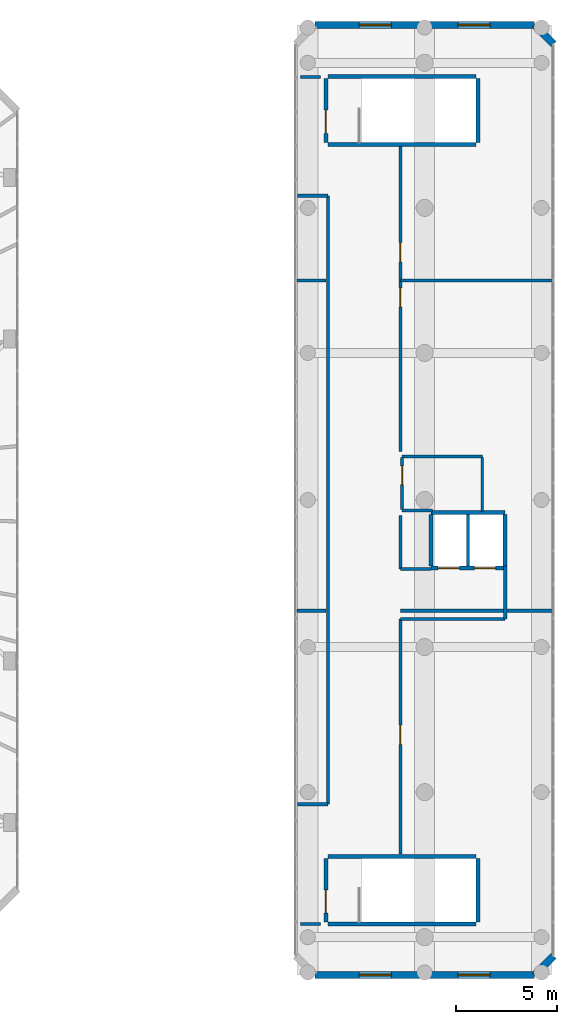
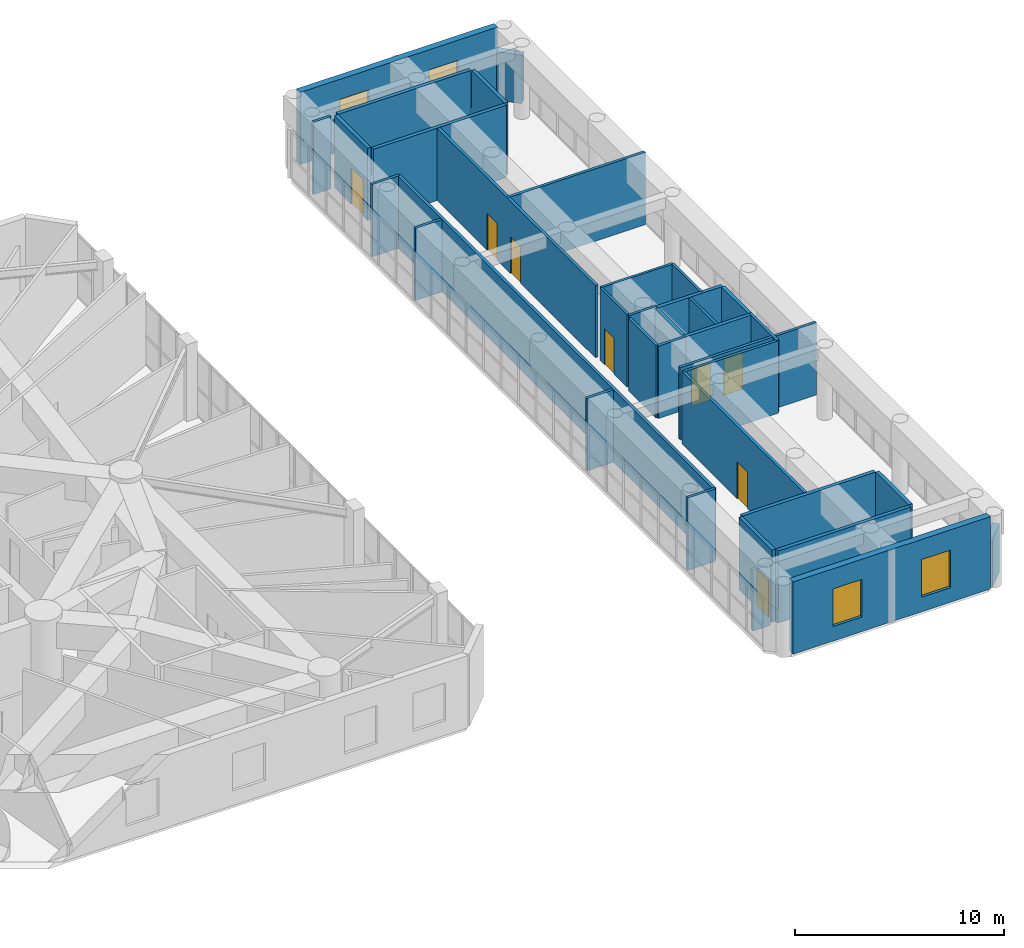
# One storey, part 18 of 22: 36 walls, 8 doors, 4 windows, 12 openings.
"""IFC4 building model written with IfcOpenShell, lengths in metres."""

from ifc_helpers import new_model, si_unit, direction, frame, frame_2d, origin, origin_with_axes, place, context, subcontext, project, spatial, rectangle, extrude, source, transform, mapped, material, layer, layer_set, type_object, element, fill, save


model = new_model("IFC4")

# Units and contexts
model_context = context("Model", 3, precision=1e-05, world=origin(), true_north=direction((0.0, 1.0)))
body_context = subcontext(model_context, "Body", "Model", "MODEL_VIEW")
ifc_project = project(units=[si_unit("LENGTHUNIT", "METRE"), si_unit("AREAUNIT", "SQUARE_METRE"), si_unit("VOLUMEUNIT", "CUBIC_METRE"), si_unit("PLANEANGLEUNIT", "RADIAN"), si_unit("MASSUNIT", "GRAM", prefix="KILO")], contexts=[model_context])

# Site, building, storey
site_placement = place(None, origin())
site = spatial("IfcSite", under=ifc_project, at=site_placement, CompositionType="ELEMENT")
building_placement = place(site_placement, origin())
building = spatial("IfcBuilding", under=site, at=building_placement, Name="Karkom Vertical University and Central Library", CompositionType="ELEMENT")
storey_placement = place(building_placement, frame((0.0, 0.0, 18.0)))
storey = spatial("IfcBuildingStorey", under=building, at=storey_placement, Name="L04", CompositionType="ELEMENT", Elevation=18.0)

# Wall, openings, windows
ifc_material_1 = material(Name="Brick masonry 360mm insulated cavity", Category="masonry")
ifc_layer_1 = layer(ifc_material_1, 0.360107421875)
ifc_layer_set_1 = layer_set([ifc_layer_1], Name="Brick masonry 360mm insulated cavity")
wall_type_1 = type_object("IfcWallType", Name="ENV-WL-BRK-360", PredefinedType="SOLIDWALL", material=ifc_layer_set_1)
wall_1_placement = place(storey_placement, frame((69.949951171875, 2.919921875, 0.0), z_axis=(0.0, 0.0, 1.0), x_axis=(1.0, 0.0, 0.0)))
wall_1 = element("IfcWall", 1, at=wall_1_placement, inside=storey, type_object=wall_type_1, Name="Level 04 LIB Terracotta Brick Facade Wall 01", PredefinedType="SOLIDWALL", context=body_context, shape_type="SweptSolid", body=[
    extrude(rectangle(XDim=10.900146484375, YDim=0.360107421875, at=frame_2d((5.4501953125, 0.0))), origin(), (0.0, 0.0, 1.0), 4.22509765625),
])
opening_1_placement = place(wall_1_placement, frame((2.199951171875, 0.0, 0.85009765625)))
opening_1 = element("IfcOpeningElement", 2, at=opening_1_placement, cuts=wall_1, Name="Opening WN-02", PredefinedType="OPENING", context=body_context, shape_type="SweptSolid", body=[
    extrude(rectangle(XDim=1.60009765625, YDim=2.199951171875, at=frame_2d((0.800048828125, 1.10009765625))), frame((0.0, 0.18994140625, 0.0), z_axis=(0.0, -1.0, 0.0), x_axis=(1.0, 0.0, 0.0)), (0.0, 0.0, 1.0), 0.380126953125),
])
opening_2_placement = place(wall_1_placement, frame((7.10009765625, 0.0, 0.85009765625)))
opening_2 = element("IfcOpeningElement", 3, at=opening_2_placement, cuts=wall_1, Name="Opening WN-02", PredefinedType="OPENING", context=body_context, shape_type="SweptSolid", body=[
    extrude(rectangle(XDim=1.60009765625, YDim=2.199951171875, at=frame_2d((0.800048828125, 1.10009765625))), frame((0.0, 0.18994140625, 0.0), z_axis=(0.0, -1.0, 0.0), x_axis=(1.0, 0.0, 0.0)), (0.0, 0.0, 1.0), 0.380126953125),
])
ifc_material_2 = material(Name="Aluminium thermal-break frame with solar-control IGU", Category="aluminium")
window_type = type_object("IfcWindowType", Name="ENV-WIN-WN-02", PartitioningType="SINGLE_PANEL", PredefinedType="WINDOW", material=ifc_material_2)
shared_shape_1 = source(origin_with_axes(), body_context, "Body", "SweptSolid", [
    extrude(rectangle(XDim=1.60009765625, YDim=2.199951171875, at=frame_2d((0.800048828125, 1.10009765625))), frame((0.0, 0.030029296875, 0.0), z_axis=(0.0, -1.0, 0.0), x_axis=(1.0, 0.0, 0.0)), (0.0, 0.0, 1.0), 0.06005859375),
])
window_1_placement = place(opening_1_placement, origin())
window_1 = element("IfcWindow", 4, at=window_1_placement, inside=storey, type_object=window_type, Name="Level 04 LIB Punched Window 01", OverallHeight=2.199951171875, OverallWidth=1.60009765625, PartitioningType="SINGLE_PANEL", PredefinedType="WINDOW", context=body_context, shape_type="MappedRepresentation", body=[
    mapped(shared_shape_1, transform((0.0, 0.0, 0.0), scale=1.0)),
])
fill(opening_1, window_1)
window_2_placement = place(opening_2_placement, origin())
window_2 = element("IfcWindow", 5, at=window_2_placement, inside=storey, type_object=window_type, Name="Level 04 LIB Punched Window 02", OverallHeight=2.199951171875, OverallWidth=1.60009765625, PartitioningType="SINGLE_PANEL", PredefinedType="WINDOW", context=body_context, shape_type="MappedRepresentation", body=[
    mapped(shared_shape_1, transform((0.0, 0.0, 0.0), scale=1.0)),
])
fill(opening_2, window_2)

# Walls
for number, where, z_axis, x_axis, name in (
    (6, (80.85009765625, 2.919921875, 0.0), (0.0, 0.0, 1.0), (0.707015922623, 0.707197628077, 0.0), "Level 04 LIB Terracotta Brick Facade Wall 02"),
    (7, (81.800048828125, 49.1298828125, 0.0), (0.0, 0.0, 1.0), (-0.707015922623, 0.707197628077, 0.0), "Level 04 LIB Terracotta Brick Facade Wall 04"),
):
    element("IfcWall", number, at=place(storey_placement, frame(where, z_axis=z_axis, x_axis=x_axis)), inside=storey, type_object=wall_type_1, Name=name, PredefinedType="SOLIDWALL", context=body_context, shape_type="SweptSolid", body=[
        extrude(rectangle(XDim=1.343505859375, YDim=0.360107421875, at=frame_2d((0.671875, 0.0))), origin(), (0.0, 0.0, 1.0), 2.824951171875),
    ])

# Wall, openings, windows
wall_2_placement = place(storey_placement, frame((80.85009765625, 50.080078125, 0.0), z_axis=(0.0, 0.0, 1.0), x_axis=(-1.0, 0.0, 0.0)))
wall_2 = element("IfcWall", 8, at=wall_2_placement, inside=storey, type_object=wall_type_1, Name="Level 04 LIB Terracotta Brick Facade Wall 05", PredefinedType="SOLIDWALL", context=body_context, shape_type="SweptSolid", body=[
    extrude(rectangle(XDim=10.900146484375, YDim=0.360107421875, at=frame_2d((5.4501953125, 0.0))), origin(), (0.0, 0.0, 1.0), 4.22509765625),
])
opening_3_placement = place(wall_2_placement, frame((2.199951171875, 0.0, 0.85009765625)))
opening_3 = element("IfcOpeningElement", 9, at=opening_3_placement, cuts=wall_2, Name="Opening WN-02", PredefinedType="OPENING", context=body_context, shape_type="SweptSolid", body=[
    extrude(rectangle(XDim=1.60009765625, YDim=2.199951171875, at=frame_2d((0.800048828125, 1.10009765625))), frame((0.0, 0.18994140625, 0.0), z_axis=(0.0, -1.0, 0.0), x_axis=(1.0, 0.0, 0.0)), (0.0, 0.0, 1.0), 0.380126953125),
])
opening_4_placement = place(wall_2_placement, frame((7.10009765625, 0.0, 0.85009765625)))
opening_4 = element("IfcOpeningElement", 10, at=opening_4_placement, cuts=wall_2, Name="Opening WN-02", PredefinedType="OPENING", context=body_context, shape_type="SweptSolid", body=[
    extrude(rectangle(XDim=1.60009765625, YDim=2.199951171875, at=frame_2d((0.800048828125, 1.10009765625))), frame((0.0, 0.18994140625, 0.0), z_axis=(0.0, -1.0, 0.0), x_axis=(1.0, 0.0, 0.0)), (0.0, 0.0, 1.0), 0.380126953125),
])
window_3_placement = place(opening_3_placement, origin())
window_3 = element("IfcWindow", 11, at=window_3_placement, inside=storey, type_object=window_type, Name="Level 04 LIB Punched Window 01", OverallHeight=2.199951171875, OverallWidth=1.60009765625, PartitioningType="SINGLE_PANEL", PredefinedType="WINDOW", context=body_context, shape_type="MappedRepresentation", body=[
    mapped(shared_shape_1, transform((0.0, 0.0, 0.0), scale=1.0)),
])
fill(opening_3, window_3)
window_4_placement = place(opening_4_placement, origin())
window_4 = element("IfcWindow", 12, at=window_4_placement, inside=storey, type_object=window_type, Name="Level 04 LIB Punched Window 02", OverallHeight=2.199951171875, OverallWidth=1.60009765625, PartitioningType="SINGLE_PANEL", PredefinedType="WINDOW", context=body_context, shape_type="MappedRepresentation", body=[
    mapped(shared_shape_1, transform((0.0, 0.0, 0.0), scale=1.0)),
])
fill(opening_4, window_4)

# Wall
ifc_material_3 = material(Name="Insulated metal-stud drywall 160mm", Category="gypsum")
ifc_layer_2 = layer(ifc_material_3, 0.159912109375)
ifc_layer_set_2 = layer_set([ifc_layer_2], Name="Insulated metal-stud drywall 160mm")
wall_type_2 = type_object("IfcWallType", Name="INT-WL-COR-160", PredefinedType="PARTITIONING", material=ifc_layer_set_2)
wall_3_placement = place(storey_placement, frame((70.60009765625, 11.39990234375, 0.0), z_axis=(0.0, 0.0, 1.0), x_axis=(0.0, 1.0, 0.0)))
element("IfcWall", 13, at=wall_3_placement, inside=storey, type_object=wall_type_2, Name="Level 04 Interior Partition Wall Level 04-LBCW-CW-011", PredefinedType="PARTITIONING", context=body_context, shape_type="SweptSolid", body=[
    extrude(rectangle(XDim=30.2001953125, YDim=0.159912109375, at=frame_2d((15.10009765625, 0.0))), origin(), (0.0, 0.0, 1.0), 4.22509765625),
])

# Wall, openings, doors
wall_4_placement = place(storey_placement, frame((74.199951171875, 44.0380859375, 0.0), z_axis=(0.0, 0.0, 1.0), x_axis=(0.0, -1.0, 0.0)))
wall_4 = element("IfcWall", 14, at=wall_4_placement, inside=storey, type_object=wall_type_2, Name="Level 04 Interior Partition Wall Level 04-LBCW-CW-003", PredefinedType="PARTITIONING", context=body_context, shape_type="SweptSolid", body=[
    extrude(rectangle(XDim=15.13818359375, YDim=0.159912109375, at=frame_2d((7.569091796875, 0.0))), origin(), (0.0, 0.0, 1.0), 4.22509765625),
])
opening_5_placement = place(wall_4_placement, frame((7.010009765625, 0.0, 0.0)))
opening_5 = element("IfcOpeningElement", 15, at=opening_5_placement, cuts=wall_4, Name="Opening FD-RM2", PredefinedType="OPENING", context=body_context, shape_type="SweptSolid", body=[
    extrude(rectangle(XDim=0.9599609375, YDim=2.14990234375, at=frame_2d((0.47998046875, 1.074951171875))), frame((0.0, 0.08984375, 0.0), z_axis=(0.0, -1.0, 0.0), x_axis=(1.0, 0.0, 0.0)), (0.0, 0.0, 1.0), 0.179931640625),
])
opening_6_placement = place(wall_4_placement, frame((4.764404296875, 0.0, 0.0)))
opening_6 = element("IfcOpeningElement", 16, at=opening_6_placement, cuts=wall_4, Name="Opening FD-RM2", PredefinedType="OPENING", context=body_context, shape_type="SweptSolid", body=[
    extrude(rectangle(XDim=0.9599609375, YDim=2.14990234375, at=frame_2d((0.47998046875, 1.074951171875))), frame((0.0, 0.08984375, 0.0), z_axis=(0.0, -1.0, 0.0), x_axis=(1.0, 0.0, 0.0)), (0.0, 0.0, 1.0), 0.179931640625),
])
ifc_material_4 = material(Name="Fire-rated oak veneer door", Category="wood")
door_type_1 = type_object("IfcDoorType", Name="INT-DR-FRM2", OperationType="NOTDEFINED", PredefinedType="DOOR", material=ifc_material_4)
shared_shape_2 = source(origin_with_axes(), body_context, "Body", "SweptSolid", [
    extrude(rectangle(XDim=0.9599609375, YDim=2.14990234375, at=frame_2d((0.47998046875, 1.074951171875))), frame((0.0, 0.02490234375, 0.0), z_axis=(0.0, -1.0, 0.0), x_axis=(1.0, 0.0, 0.0)), (0.0, 0.0, 1.0), 0.050048828125),
])
door_1_placement = place(opening_5_placement, origin())
door_1 = element("IfcDoor", 17, at=door_1_placement, inside=storey, type_object=door_type_1, Name="Level 04 Room Entry Door 902", OperationType="SINGLE_SWING_RIGHT", OverallHeight=2.14990234375, OverallWidth=0.9599609375, PredefinedType="DOOR", context=body_context, shape_type="MappedRepresentation", body=[
    mapped(shared_shape_2, transform((0.0, 0.0, 0.0), scale=1.0)),
])
fill(opening_5, door_1)
door_2_placement = place(opening_6_placement, origin())
door_2 = element("IfcDoor", 18, at=door_2_placement, inside=storey, type_object=door_type_1, Name="Level 04 Room Entry Door 903", OperationType="SINGLE_SWING_LEFT", OverallHeight=2.14990234375, OverallWidth=0.9599609375, PredefinedType="DOOR", context=body_context, shape_type="MappedRepresentation", body=[
    mapped(shared_shape_2, transform((0.0, 0.0, 0.0), scale=1.0)),
])
fill(opening_6, door_2)

# Wall, opening, door
wall_5_placement = place(storey_placement, frame((74.199951171875, 20.60009765625, 0.0), z_axis=(0.0, 0.0, 1.0), x_axis=(0.0, -1.0, 0.0)))
wall_5 = element("IfcWall", 19, at=wall_5_placement, inside=storey, type_object=wall_type_2, Name="Level 04 Interior Partition Wall Level 04-LBCW-CW-008", PredefinedType="PARTITIONING", context=body_context, shape_type="SweptSolid", body=[
    extrude(rectangle(XDim=11.677978515625, YDim=0.159912109375, at=frame_2d((5.8388671875, 0.0))), origin(), (0.0, 0.0, 1.0), 4.22509765625),
])
opening_7_placement = place(wall_5_placement, frame((5.280029296875, 0.0, 0.0)))
opening_7 = element("IfcOpeningElement", 20, at=opening_7_placement, cuts=wall_5, Name="Opening FD-RM2", PredefinedType="OPENING", context=body_context, shape_type="SweptSolid", body=[
    extrude(rectangle(XDim=0.9599609375, YDim=2.14990234375, at=frame_2d((0.47998046875, 1.074951171875))), frame((0.0, 0.08984375, 0.0), z_axis=(0.0, -1.0, 0.0), x_axis=(1.0, 0.0, 0.0)), (0.0, 0.0, 1.0), 0.179931640625),
])
door_3_placement = place(opening_7_placement, origin())
door_3 = element("IfcDoor", 21, at=door_3_placement, inside=storey, type_object=door_type_1, Name="Level 04 Room Entry Door 901", OperationType="SINGLE_SWING_LEFT", OverallHeight=2.14990234375, OverallWidth=0.9599609375, PredefinedType="DOOR", context=body_context, shape_type="MappedRepresentation", body=[
    mapped(shared_shape_2, transform((0.0, 0.0, 0.0), scale=1.0)),
])
fill(opening_7, door_3)

# Walls
for number, where, z_axis, x_axis, name in (
    (22, (74.199951171875, 21.0, 0.0), (0.0, 0.0, 1.0), (1.0, 0.0, 0.0), "Level 04 Interior Partition Wall Level 04-LW-DIV1E"),
    (23, (74.199951171875, 37.39990234375, 0.0), (0.0, 0.0, 1.0), (1.0, 0.0, 0.0), "Level 04 Interior Partition Wall Level 04-LW-DIV2E"),
):
    element("IfcWall", number, at=place(storey_placement, frame(where, z_axis=z_axis, x_axis=x_axis)), inside=storey, type_object=wall_type_2, Name=name, PredefinedType="PARTITIONING", context=body_context, shape_type="SweptSolid", body=[
        extrude(rectangle(XDim=7.545166015625, YDim=0.159912109375, at=frame_2d((3.7724609375, 0.0))), origin(), (0.0, 0.0, 1.0), 4.22509765625),
    ])
wall_6_placement = place(storey_placement, frame((79.39990234375, 20.60009765625, 0.0), z_axis=(0.0, 0.0, 1.0), x_axis=(-1.0, 0.0, 0.0)))
element("IfcWall", 24, at=wall_6_placement, inside=storey, type_object=wall_type_2, Name="Level 04 Interior Partition Wall Level 04-LBCW-CW-007", PredefinedType="PARTITIONING", context=body_context, shape_type="SweptSolid", body=[
    extrude(rectangle(XDim=5.199951171875, YDim=0.159912109375, at=frame_2d((2.60009765625, 0.0))), origin(), (0.0, 0.0, 1.0), 4.22509765625),
])
wall_7_placement = place(storey_placement, frame((74.199951171875, 25.739990234375, 0.0), z_axis=(0.0, 0.0, 1.0), x_axis=(0.0, -1.0, 0.0)))
element("IfcWall", 25, at=wall_7_placement, inside=storey, type_object=wall_type_2, Name="Level 04 Interior Partition Wall Level 04-LBCW-CW-004", PredefinedType="PARTITIONING", context=body_context, shape_type="SweptSolid", body=[
    extrude(rectangle(XDim=2.659912109375, YDim=0.159912109375, at=frame_2d((1.330078125, 0.0))), origin(), (0.0, 0.0, 1.0), 4.22509765625),
])
wall_8_placement = place(storey_placement, frame((79.39990234375, 23.215087890625, 0.0), z_axis=(0.0, 0.0, 1.0), x_axis=(0.0, -1.0, 0.0)))
element("IfcWall", 26, at=wall_8_placement, inside=storey, type_object=wall_type_2, Name="Level 04 Interior Partition Wall Level 04-LBCW-CW-006", PredefinedType="PARTITIONING", context=body_context, shape_type="SweptSolid", body=[
    extrude(rectangle(XDim=2.614990234375, YDim=0.159912109375, at=frame_2d((1.3076171875, 0.0))), origin(), (0.0, 0.0, 1.0), 4.22509765625),
])
for number, where, z_axis, x_axis, name in (
    (27, (69.054931640625, 21.0, 0.0), (0.0, 0.0, 1.0), (1.0, 0.0, 0.0), "Level 04 Interior Partition Wall Level 04-LW-DIV1"),
    (28, (69.054931640625, 37.39990234375, 0.0), (0.0, 0.0, 1.0), (1.0, 0.0, 0.0), "Level 04 Interior Partition Wall Level 04-LW-DIV2"),
):
    element("IfcWall", number, at=place(storey_placement, frame(where, z_axis=z_axis, x_axis=x_axis)), inside=storey, type_object=wall_type_2, Name=name, PredefinedType="PARTITIONING", context=body_context, shape_type="SweptSolid", body=[
        extrude(rectangle(XDim=1.4609375, YDim=0.159912109375, at=frame_2d((0.73046875, 0.0))), origin(), (0.0, 0.0, 1.0), 4.22509765625),
    ])
for number, where, z_axis, x_axis, name in (
    (29, (70.60009765625, 41.60009765625, 0.0), (0.0, 0.0, 1.0), (-1.0, 0.0, 0.0), "Level 04 Interior Partition Wall Level 04-LBCW-CW-001"),
    (30, (69.0849609375, 11.39990234375, 0.0), (0.0, 0.0, 1.0), (1.0, 0.0, 0.0), "Level 04 Interior Partition Wall Level 04-LBCW-CW-010"),
    (31, (74.199951171875, 23.080078125, 0.0), (0.0, 0.0, 1.0), (1.0, 0.0, 0.0), "Level 04 Interior Partition Wall Level 04-LBCW-CW-005"),
):
    element("IfcWall", number, at=place(storey_placement, frame(where, z_axis=z_axis, x_axis=x_axis)), inside=storey, type_object=wall_type_2, Name=name, PredefinedType="PARTITIONING", context=body_context, shape_type="SweptSolid", body=[
        extrude(rectangle(XDim=1.51513671875, YDim=0.159912109375, at=frame_2d((0.757568359375, 0.0))), origin(), (0.0, 0.0, 1.0), 4.22509765625),
    ])
wall_9_placement = place(storey_placement, frame((69.239990234375, 47.5, 0.0), z_axis=(0.0, 0.0, 1.0), x_axis=(1.0, 0.0, 0.0)))
element("IfcWall", 32, at=wall_9_placement, inside=storey, type_object=wall_type_2, Name="Level 04 Interior Partition Wall Level 04-LBCW-CW-002", PredefinedType="PARTITIONING", context=body_context, shape_type="SweptSolid", body=[
    extrude(rectangle(XDim=0.97998046875, YDim=0.159912109375, at=frame_2d((0.489990234375, 0.0))), origin(), (0.0, 0.0, 1.0), 4.22509765625),
])
wall_10_placement = place(storey_placement, frame((70.219970703125, 5.449951171875, 0.0), z_axis=(0.0, 0.0, 1.0), x_axis=(-1.0, 0.0, 0.0)))
element("IfcWall", 33, at=wall_10_placement, inside=storey, type_object=wall_type_2, Name="Level 04 Interior Partition Wall Level 04-LBCW-CW-009", PredefinedType="PARTITIONING", context=body_context, shape_type="SweptSolid", body=[
    extrude(rectangle(XDim=0.97998046875, YDim=0.159912109375, at=frame_2d((0.489990234375, 0.0))), origin(), (0.0, 0.0, 1.0), 3.574951171875),
])
ifc_material_5 = material(Name="Metal-stud gypsum partition 140mm", Category="gypsum")
ifc_layer_3 = layer(ifc_material_5, 0.139892578125)
ifc_layer_set_3 = layer_set([ifc_layer_3], Name="Metal-stud gypsum partition 140mm")
wall_type_3 = type_object("IfcWallType", Name="INT-WL-SUB-140", PredefinedType="PARTITIONING", material=ifc_layer_set_3)
wall_11_placement = place(storey_placement, frame((74.280029296875, 28.659912109375, 0.0), z_axis=(0.0, 0.0, 1.0), x_axis=(1.0, 0.0, 0.0)))
element("IfcWall", 34, at=wall_11_placement, inside=storey, type_object=wall_type_3, Name="Level 04 Interior Partition Wall Level 04-LW-AWC-N", PredefinedType="PARTITIONING", context=body_context, shape_type="SweptSolid", body=[
    extrude(rectangle(XDim=3.97998046875, YDim=0.139892578125, at=frame_2d((1.989990234375, 0.0))), origin(), (0.0, 0.0, 1.0), 4.22509765625),
])
wall_12_placement = place(storey_placement, frame((78.260009765625, 25.919921875, 0.0), z_axis=(0.0, 0.0, 1.0), x_axis=(0.0, 1.0, 0.0)))
element("IfcWall", 35, at=wall_12_placement, inside=storey, type_object=wall_type_3, Name="Level 04 Interior Partition Wall Level 04-LW-AWC-E", PredefinedType="PARTITIONING", context=body_context, shape_type="SweptSolid", body=[
    extrude(rectangle(XDim=2.7001953125, YDim=0.139892578125, at=frame_2d((1.35009765625, 0.0))), origin(), (0.0, 0.0, 1.0), 4.22509765625),
])

# Wall, opening, door
wall_13_placement = place(storey_placement, frame((74.280029296875, 26.02001953125, 0.0), z_axis=(0.0, 0.0, 1.0), x_axis=(0.0, 1.0, 0.0)))
wall_13 = element("IfcWall", 36, at=wall_13_placement, inside=storey, type_object=wall_type_3, Name="Level 04 Interior Partition Wall Level 04-LW-AWC-W", PredefinedType="PARTITIONING", context=body_context, shape_type="SweptSolid", body=[
    extrude(rectangle(XDim=2.60009765625, YDim=0.139892578125, at=frame_2d((1.300048828125, 0.0))), origin(), (0.0, 0.0, 1.0), 4.22509765625),
])
opening_8_placement = place(wall_13_placement, frame((1.239990234375, 0.0, 0.0)))
opening_8 = element("IfcOpeningElement", 37, at=opening_8_placement, cuts=wall_13, Name="Opening D-WC1", PredefinedType="OPENING", context=body_context, shape_type="SweptSolid", body=[
    extrude(rectangle(XDim=0.93994140625, YDim=2.10009765625, at=frame_2d((0.469970703125, 1.050048828125))), frame((0.0, 0.080078125, 0.0), z_axis=(0.0, -1.0, 0.0), x_axis=(1.0, 0.0, 0.0)), (0.0, 0.0, 1.0), 0.159912109375),
])
ifc_material_6 = material(Name="Fire-rated laminate moisture-resistant door", Category="wood")
door_type_2 = type_object("IfcDoorType", Name="INT-DR-WC1", OperationType="NOTDEFINED", PredefinedType="DOOR", material=ifc_material_6)
shared_shape_3 = source(origin_with_axes(), body_context, "Body", "SweptSolid", [
    extrude(rectangle(XDim=0.93994140625, YDim=2.10009765625, at=frame_2d((0.469970703125, 1.050048828125))), frame((0.0, 0.02490234375, 0.0), z_axis=(0.0, -1.0, 0.0), x_axis=(1.0, 0.0, 0.0)), (0.0, 0.0, 1.0), 0.050048828125),
])
door_4_placement = place(opening_8_placement, origin())
door_4 = element("IfcDoor", 38, at=door_4_placement, inside=storey, type_object=door_type_2, Name="Level 04 Library Accessible WC Door", OperationType="SINGLE_SWING_RIGHT", OverallHeight=2.10009765625, OverallWidth=0.93994140625, PredefinedType="DOOR", context=body_context, shape_type="MappedRepresentation", body=[
    mapped(shared_shape_3, transform((0.0, 0.0, 0.0), scale=1.0)),
])
fill(opening_8, door_4)

# Walls
wall_14_placement = place(storey_placement, frame((74.280029296875, 25.97998046875, 0.0), z_axis=(0.0, 0.0, 1.0), x_axis=(1.0, 0.0, 0.0)))
element("IfcWall", 39, at=wall_14_placement, inside=storey, type_object=wall_type_3, Name="Level 04 Interior Partition Wall Level 04-LW-AWC-S", PredefinedType="PARTITIONING", context=body_context, shape_type="SweptSolid", body=[
    extrude(rectangle(XDim=1.52001953125, YDim=0.139892578125, at=frame_2d((0.760009765625, 0.0))), origin(), (0.0, 0.0, 1.0), 4.22509765625),
])
ifc_layer_4 = layer(ifc_material_5, 0.139892578125)
ifc_layer_set_4 = layer_set([ifc_layer_4], Name="Metal-stud gypsum partition 140mm")
wall_type_4 = type_object("IfcWallType", Name="INT-WL-SUB-140H", PredefinedType="PARTITIONING", material=ifc_layer_set_4)
wall_15_placement = place(storey_placement, frame((77.550048828125, 23.219970703125, 0.0), z_axis=(0.0, 0.0, 1.0), x_axis=(0.0, 1.0, 0.0)))
element("IfcWall", 40, at=wall_15_placement, inside=storey, type_object=wall_type_4, Name="Level 04 Interior Partition Wall Level 04-W-LL-M", PredefinedType="PARTITIONING", context=body_context, shape_type="SweptSolid", body=[
    extrude(rectangle(XDim=2.56005859375, YDim=0.139892578125, at=frame_2d((1.280029296875, 0.0))), origin(), (0.0, 0.0, 1.0), 4.22509765625),
])
ifc_material_7 = material(Name="Concrete C45/55", Category="concrete")
ifc_layer_5 = layer(ifc_material_7, 0.199951171875)
ifc_layer_set_5 = layer_set([ifc_layer_5], Name="Concrete C45/55")
wall_type_5 = type_object("IfcWallType", Name="STR-WL-ST-200", PredefinedType="SHEAR", material=ifc_layer_set_5)
for number, where, z_axis, x_axis, name in (
    (41, (70.60009765625, 5.445068359375, 0.0), (0.0, 0.0, 1.0), (1.0, 0.0, 0.0), "Level 04 Core Shaft Wall Level 04-W-LST1-S"),
    (42, (70.60009765625, 8.81494140625, 0.0), (0.0, 0.0, 1.0), (1.0, 0.0, 0.0), "Level 04 Core Shaft Wall Level 04-W-LST1-N"),
    (43, (70.60009765625, 44.14501953125, 0.0), (0.0, 0.0, 1.0), (1.0, 0.0, 0.0), "Level 04 Core Shaft Wall Level 04-W-LST2-S"),
    (44, (70.60009765625, 47.514892578125, 0.0), (0.0, 0.0, 1.0), (1.0, 0.0, 0.0), "Level 04 Core Shaft Wall Level 04-W-LST2-N"),
):
    element("IfcWall", number, at=place(storey_placement, frame(where, z_axis=z_axis, x_axis=x_axis)), inside=storey, type_object=wall_type_5, Name=name, PredefinedType="SHEAR", context=body_context, shape_type="SweptSolid", body=[
        extrude(rectangle(XDim=7.349853515625, YDim=0.199951171875, at=frame_2d((3.6748046875, 0.0))), origin(), (0.0, 0.0, 1.0), 4.22509765625),
    ])

# Wall, openings, doors
wall_16_placement = place(storey_placement, frame((75.719970703125, 23.1201171875, 0.0), z_axis=(0.0, 0.0, 1.0), x_axis=(1.0, 0.0, 0.0)))
wall_16 = element("IfcWall", 45, at=wall_16_placement, inside=storey, type_object=wall_type_5, Name="Level 04 Core Shaft Wall Level 04-W-LL-S", PredefinedType="SHEAR", context=body_context, shape_type="SweptSolid", body=[
    extrude(rectangle(XDim=3.659912109375, YDim=0.199951171875, at=frame_2d((1.830078125, 0.0))), origin(), (0.0, 0.0, 1.0), 4.22509765625),
])
opening_9_placement = place(wall_16_placement, frame((0.35009765625, 0.0, 0.0)))
opening_9 = element("IfcOpeningElement", 46, at=opening_9_placement, cuts=wall_16, Name="Opening LD-LIB", PredefinedType="OPENING", context=body_context, shape_type="SweptSolid", body=[
    extrude(rectangle(XDim=1.050048828125, YDim=2.14990234375, at=frame_2d((0.52490234375, 1.074951171875))), frame((0.0, 0.10986328125, 0.0), z_axis=(0.0, -1.0, 0.0), x_axis=(1.0, 0.0, 0.0)), (0.0, 0.0, 1.0), 0.219970703125),
])
opening_10_placement = place(wall_16_placement, frame((2.14990234375, 0.0, 0.0)))
opening_10 = element("IfcOpeningElement", 47, at=opening_10_placement, cuts=wall_16, Name="Opening LD-LIB", PredefinedType="OPENING", context=body_context, shape_type="SweptSolid", body=[
    extrude(rectangle(XDim=1.050048828125, YDim=2.14990234375, at=frame_2d((0.52490234375, 1.074951171875))), frame((0.0, 0.10986328125, 0.0), z_axis=(0.0, -1.0, 0.0), x_axis=(1.0, 0.0, 0.0)), (0.0, 0.0, 1.0), 0.219970703125),
])
ifc_material_8 = material(Name="Bronze-anodised lift landing door", Category="metal")
door_type_3 = type_object("IfcDoorType", Name="INT-DR-LD-LIB", OperationType="SLIDING_TO_LEFT", PredefinedType="DOOR", material=ifc_material_8)
shared_shape_4 = source(origin_with_axes(), body_context, "Body", "SweptSolid", [
    extrude(rectangle(XDim=1.050048828125, YDim=2.14990234375, at=frame_2d((0.52490234375, 1.074951171875))), frame((0.0, 0.02490234375, 0.0), z_axis=(0.0, -1.0, 0.0), x_axis=(1.0, 0.0, 0.0)), (0.0, 0.0, 1.0), 0.050048828125),
])
door_5_placement = place(opening_9_placement, origin())
door_5 = element("IfcDoor", 48, at=door_5_placement, inside=storey, type_object=door_type_3, Name="Level 04 Library Lift LIB-L1 Landing Door", OperationType="SLIDING_TO_LEFT", OverallHeight=2.14990234375, OverallWidth=1.050048828125, PredefinedType="DOOR", context=body_context, shape_type="MappedRepresentation", body=[
    mapped(shared_shape_4, transform((0.0, 0.0, 0.0), scale=1.0)),
])
fill(opening_9, door_5)
door_6_placement = place(opening_10_placement, origin())
door_6 = element("IfcDoor", 49, at=door_6_placement, inside=storey, type_object=door_type_3, Name="Level 04 Library Lift LIB-L2 Landing Door", OperationType="SLIDING_TO_RIGHT", OverallHeight=2.14990234375, OverallWidth=1.050048828125, PredefinedType="DOOR", context=body_context, shape_type="MappedRepresentation", body=[
    mapped(shared_shape_4, transform((0.0, 0.0, 0.0), scale=1.0)),
])
fill(opening_10, door_6)

# Wall
wall_17_placement = place(storey_placement, frame((75.719970703125, 25.8798828125, 0.0), z_axis=(0.0, 0.0, 1.0), x_axis=(1.0, 0.0, 0.0)))
element("IfcWall", 50, at=wall_17_placement, inside=storey, type_object=wall_type_5, Name="Level 04 Core Shaft Wall Level 04-W-LL-N", PredefinedType="SHEAR", context=body_context, shape_type="SweptSolid", body=[
    extrude(rectangle(XDim=3.659912109375, YDim=0.199951171875, at=frame_2d((1.830078125, 0.0))), origin(), (0.0, 0.0, 1.0), 4.22509765625),
])

# Wall, opening, door
wall_18_placement = place(storey_placement, frame((70.4951171875, 5.550048828125, 0.0), z_axis=(0.0, 0.0, 1.0), x_axis=(0.0, 1.0, 0.0)))
wall_18 = element("IfcWall", 51, at=wall_18_placement, inside=storey, type_object=wall_type_5, Name="Level 04 Core Shaft Wall Level 04-W-LST1-W", PredefinedType="SHEAR", context=body_context, shape_type="SweptSolid", body=[
    extrude(rectangle(XDim=3.159912109375, YDim=0.199951171875, at=frame_2d((1.580078125, 0.0))), origin(), (0.0, 0.0, 1.0), 4.22509765625),
])
opening_11_placement = place(wall_18_placement, frame((0.449951171875, 0.0, 0.0)))
opening_11 = element("IfcOpeningElement", 52, at=opening_11_placement, cuts=wall_18, Name="Opening FD-ST1", PredefinedType="OPENING", context=body_context, shape_type="SweptSolid", body=[
    extrude(rectangle(XDim=1.14990234375, YDim=2.14990234375, at=frame_2d((0.574951171875, 1.074951171875))), frame((0.0, 0.10986328125, 0.0), z_axis=(0.0, -1.0, 0.0), x_axis=(1.0, 0.0, 0.0)), (0.0, 0.0, 1.0), 0.219970703125),
])
ifc_material_9 = material(Name="Painted steel acoustic fire door", Category="steel")
door_type_4 = type_object("IfcDoorType", Name="INT-DR-ST1", OperationType="NOTDEFINED", PredefinedType="DOOR", material=ifc_material_9)
shared_shape_5 = source(origin_with_axes(), body_context, "Body", "SweptSolid", [
    extrude(rectangle(XDim=1.14990234375, YDim=2.14990234375, at=frame_2d((0.574951171875, 1.074951171875))), frame((0.0, 0.02490234375, 0.0), z_axis=(0.0, -1.0, 0.0), x_axis=(1.0, 0.0, 0.0)), (0.0, 0.0, 1.0), 0.050048828125),
])
door_7_placement = place(opening_11_placement, origin())
door_7 = element("IfcDoor", 53, at=door_7_placement, inside=storey, type_object=door_type_4, Name="Level 04 Library Stair LST1 Door", OperationType="SINGLE_SWING_RIGHT", OverallHeight=2.14990234375, OverallWidth=1.14990234375, PredefinedType="DOOR", context=body_context, shape_type="MappedRepresentation", body=[
    mapped(shared_shape_5, transform((0.0, 0.0, 0.0), scale=1.0)),
])
fill(opening_11, door_7)

# Wall
wall_19_placement = place(storey_placement, frame((78.054931640625, 5.550048828125, 0.0), z_axis=(0.0, 0.0, 1.0), x_axis=(0.0, 1.0, 0.0)))
element("IfcWall", 54, at=wall_19_placement, inside=storey, type_object=wall_type_5, Name="Level 04 Core Shaft Wall Level 04-W-LST1-E", PredefinedType="SHEAR", context=body_context, shape_type="SweptSolid", body=[
    extrude(rectangle(XDim=3.159912109375, YDim=0.199951171875, at=frame_2d((1.580078125, 0.0))), origin(), (0.0, 0.0, 1.0), 4.22509765625),
])

# Wall, opening, door
wall_20_placement = place(storey_placement, frame((70.4951171875, 44.25, 0.0), z_axis=(0.0, 0.0, 1.0), x_axis=(0.0, 1.0, 0.0)))
wall_20 = element("IfcWall", 55, at=wall_20_placement, inside=storey, type_object=wall_type_5, Name="Level 04 Core Shaft Wall Level 04-W-LST2-W", PredefinedType="SHEAR", context=body_context, shape_type="SweptSolid", body=[
    extrude(rectangle(XDim=3.159912109375, YDim=0.199951171875, at=frame_2d((1.580078125, 0.0))), origin(), (0.0, 0.0, 1.0), 4.22509765625),
])
opening_12_placement = place(wall_20_placement, frame((0.449951171875, 0.0, 0.0)))
opening_12 = element("IfcOpeningElement", 56, at=opening_12_placement, cuts=wall_20, Name="Opening FD-ST1", PredefinedType="OPENING", context=body_context, shape_type="SweptSolid", body=[
    extrude(rectangle(XDim=1.14990234375, YDim=2.14990234375, at=frame_2d((0.574951171875, 1.074951171875))), frame((0.0, 0.10986328125, 0.0), z_axis=(0.0, -1.0, 0.0), x_axis=(1.0, 0.0, 0.0)), (0.0, 0.0, 1.0), 0.219970703125),
])
door_8_placement = place(opening_12_placement, origin())
door_8 = element("IfcDoor", 57, at=door_8_placement, inside=storey, type_object=door_type_4, Name="Level 04 Library Stair LST2 Door", OperationType="SINGLE_SWING_LEFT", OverallHeight=2.14990234375, OverallWidth=1.14990234375, PredefinedType="DOOR", context=body_context, shape_type="MappedRepresentation", body=[
    mapped(shared_shape_5, transform((0.0, 0.0, 0.0), scale=1.0)),
])
fill(opening_12, door_8)

# Walls
wall_21_placement = place(storey_placement, frame((78.054931640625, 44.25, 0.0), z_axis=(0.0, 0.0, 1.0), x_axis=(0.0, 1.0, 0.0)))
element("IfcWall", 58, at=wall_21_placement, inside=storey, type_object=wall_type_5, Name="Level 04 Core Shaft Wall Level 04-W-LST2-E", PredefinedType="SHEAR", context=body_context, shape_type="SweptSolid", body=[
    extrude(rectangle(XDim=3.159912109375, YDim=0.199951171875, at=frame_2d((1.580078125, 0.0))), origin(), (0.0, 0.0, 1.0), 4.22509765625),
])
for number, where, z_axis, x_axis, name in (
    (59, (75.719970703125, 23.219970703125, 0.0), (0.0, 0.0, 1.0), (0.0, 1.0, 0.0), "Level 04 Core Shaft Wall Level 04-W-LL-W"),
    (60, (79.3798828125, 23.219970703125, 0.0), (0.0, 0.0, 1.0), (0.0, 1.0, 0.0), "Level 04 Core Shaft Wall Level 04-W-LL-E"),
):
    element("IfcWall", number, at=place(storey_placement, frame(where, z_axis=z_axis, x_axis=x_axis)), inside=storey, type_object=wall_type_5, Name=name, PredefinedType="SHEAR", context=body_context, shape_type="SweptSolid", body=[
        extrude(rectangle(XDim=2.56005859375, YDim=0.199951171875, at=frame_2d((1.280029296875, 0.0))), origin(), (0.0, 0.0, 1.0), 4.22509765625),
    ])

save(model, "model.ifc")
